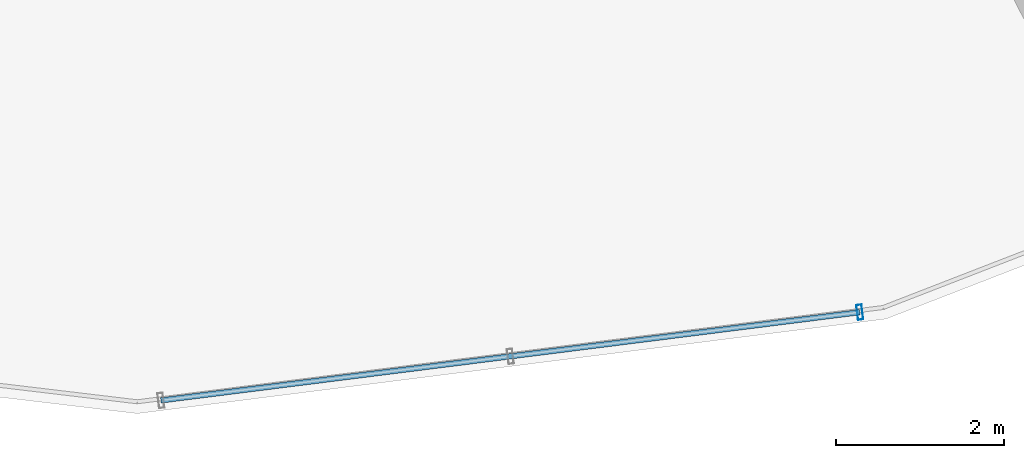
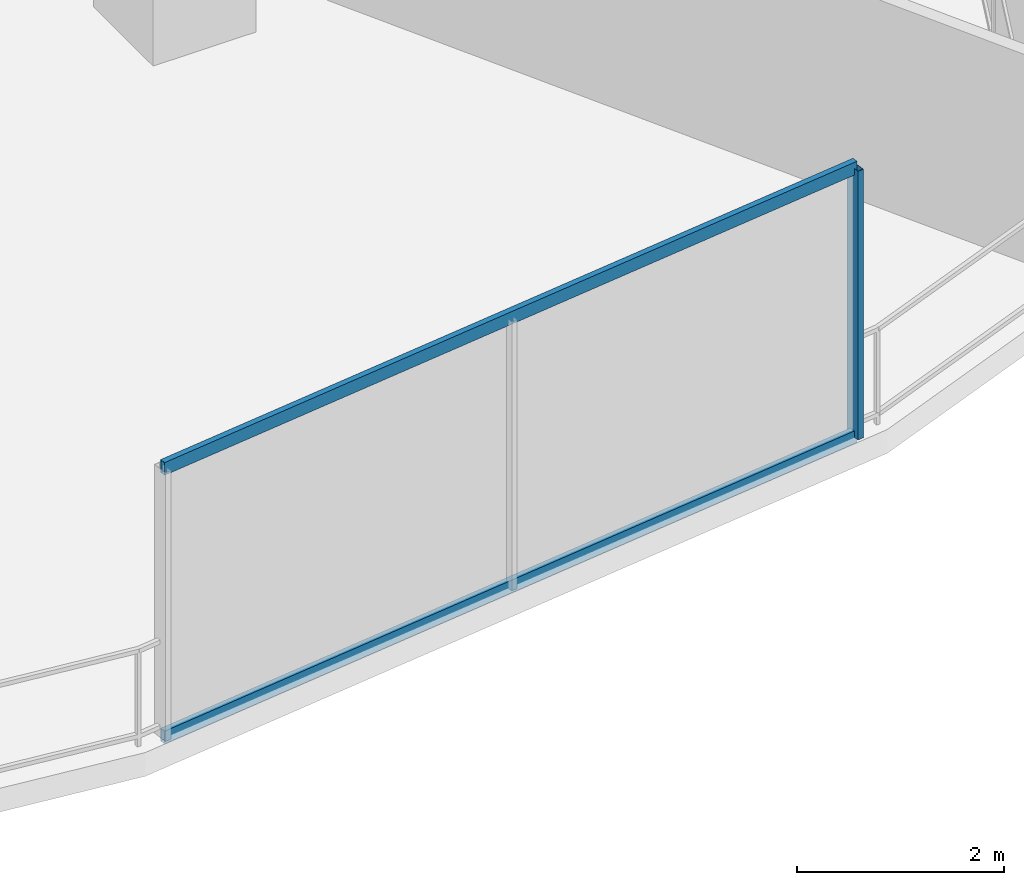
# One storey, part 5 of 30: 3 members, 1 element without a shape of its own.
"""IFC4 building model written with IfcOpenShell, lengths in metres."""

from ifc_helpers import new_model, si_unit, direction, frame, origin, origin_2d, place, context, subcontext, project, spatial, hollow_rectangle, extrude, material, layer, layer_set, material_profile, profile_set, type_object, element, aggregate, save


model = new_model("IFC4")

# Units and contexts
model_context = context("Model", 3, precision=1e-05, world=origin(), true_north=direction((0.0, 1.0)))
body_context = subcontext(model_context, "Body", "Model", "MODEL_VIEW")
ifc_project = project(units=[si_unit("LENGTHUNIT", "METRE"), si_unit("AREAUNIT", "SQUARE_METRE"), si_unit("VOLUMEUNIT", "CUBIC_METRE"), si_unit("PLANEANGLEUNIT", "RADIAN"), si_unit("MASSUNIT", "GRAM", prefix="KILO")], contexts=[model_context])

# Site, building, storey
site_placement = place(None, origin())
site = spatial("IfcSite", under=ifc_project, at=site_placement, CompositionType="ELEMENT")
building_placement = place(site_placement, origin())
building = spatial("IfcBuilding", under=site, at=building_placement, Name="Qarnah Convention Tower", CompositionType="ELEMENT")
storey_placement = place(building_placement, frame((0.0, 0.0, 93.60009765625)))
storey = spatial("IfcBuildingStorey", under=building, at=storey_placement, Name="L24", CompositionType="ELEMENT", Elevation=93.60009765625)

# Curtain wall, members
ifc_material_1 = material(Name="Tempered Low-E dark glass", Category="glass")
ifc_layer = layer(ifc_material_1, 0.169921875)
ifc_layer_set = layer_set([ifc_layer], Name="Tempered Low-E dark glass")
curtain_wall_type = type_object("IfcCurtainWallType", Name="CWS-02", PredefinedType="NOTDEFINED", material=ifc_layer_set)
curtain_wall_placement = place(storey_placement, origin())
curtain_wall = element("IfcCurtainWall", 1, at=curtain_wall_placement, inside=storey, type_object=curtain_wall_type, Name="L24 unitised curtain wall CW-L24-F4", PredefinedType="NOTDEFINED")
ifc_material_2 = material(Name="Black anodised aluminium", Category="aluminium")
ifc_material_profile_1 = material_profile(ifc_material_2, hollow_rectangle(XDim=0.06494140625, YDim=0.179931640625, WallThickness=0.00390625, at=origin_2d()), Name="MUL-65X180")
ifc_profile_set_1 = profile_set([ifc_material_profile_1], Name="Black anodised aluminium")
member_type_1 = type_object("IfcMemberType", Name="MUL-T2", PredefinedType="MULLION", material=ifc_profile_set_1)
member_1_placement = place(storey_placement, frame((45.260009765625, 2.5419921875, 0.0), z_axis=(0.0, 0.0, 1.0), x_axis=(-0.992121516027, -0.125279277757, 0.0)))
member_1 = element("IfcMember", 2, at=member_1_placement, type_object=member_type_1, Name="CW-L24-F4 mullion 1", PredefinedType="MULLION", context=body_context, shape_type="SweptSolid", body=[
    extrude(hollow_rectangle(XDim=0.06494140625, YDim=0.179931640625, WallThickness=0.00390625, at=origin_2d()), origin(), (0.0, 0.0, 1.0), 3.169921875),
])
ifc_material_profile_2 = material_profile(ifc_material_2, hollow_rectangle(XDim=0.06494140625, YDim=0.14990234375, WallThickness=0.00390625, at=origin_2d()), Name="TRN-65X150")
ifc_profile_set_2 = profile_set([ifc_material_profile_2], Name="Black anodised aluminium")
member_type_2 = type_object("IfcMemberType", Name="TRN-T2", PredefinedType="USERDEFINED", material=ifc_profile_set_2)
member_2_placement = place(storey_placement, frame((45.260009765625, 2.5419921875, 0.0), z_axis=(-0.992122040711, -0.125275122569, 0.0), x_axis=(0.125275122569, -0.992122040711, 0.0)))
member_2 = element("IfcMember", 3, at=member_2_placement, type_object=member_type_2, Name="CW-L24-F4 transom 1", ObjectType="TRANSOM", PredefinedType="USERDEFINED", context=body_context, shape_type="SweptSolid", body=[
    extrude(hollow_rectangle(XDim=0.06494140625, YDim=0.14990234375, WallThickness=0.00390625, at=origin_2d()), origin(), (0.0, 0.0, 1.0), 8.4052734375),
])
member_3_placement = place(storey_placement, frame((45.260009765625, 2.5419921875, 3.169921875), z_axis=(-0.992122040711, -0.125275122569, 0.0), x_axis=(0.125275122569, -0.992122040711, 0.0)))
member_3 = element("IfcMember", 4, at=member_3_placement, type_object=member_type_2, Name="CW-L24-F4 transom 2", ObjectType="TRANSOM", PredefinedType="USERDEFINED", context=body_context, shape_type="SweptSolid", body=[
    extrude(hollow_rectangle(XDim=0.06494140625, YDim=0.14990234375, WallThickness=0.00390625, at=origin_2d()), origin(), (0.0, 0.0, 1.0), 8.4052734375),
])
aggregate(curtain_wall, [member_1, member_2, member_3])

save(model, "model.ifc")
